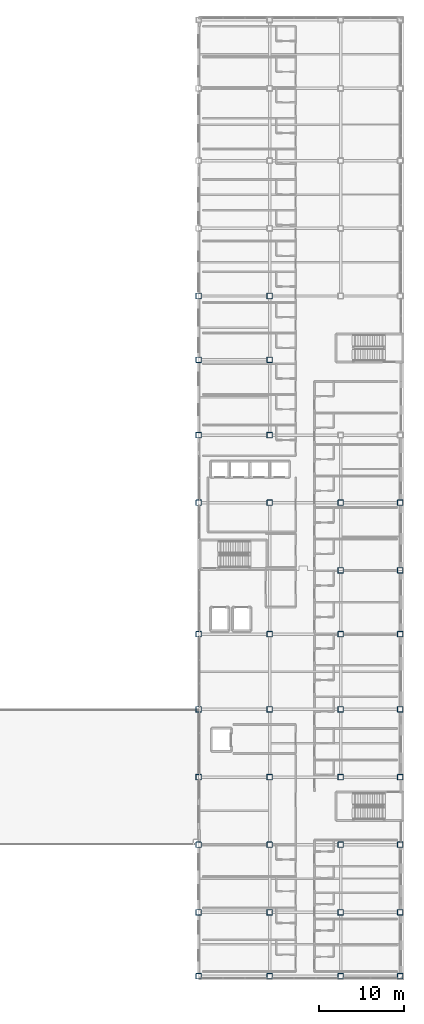
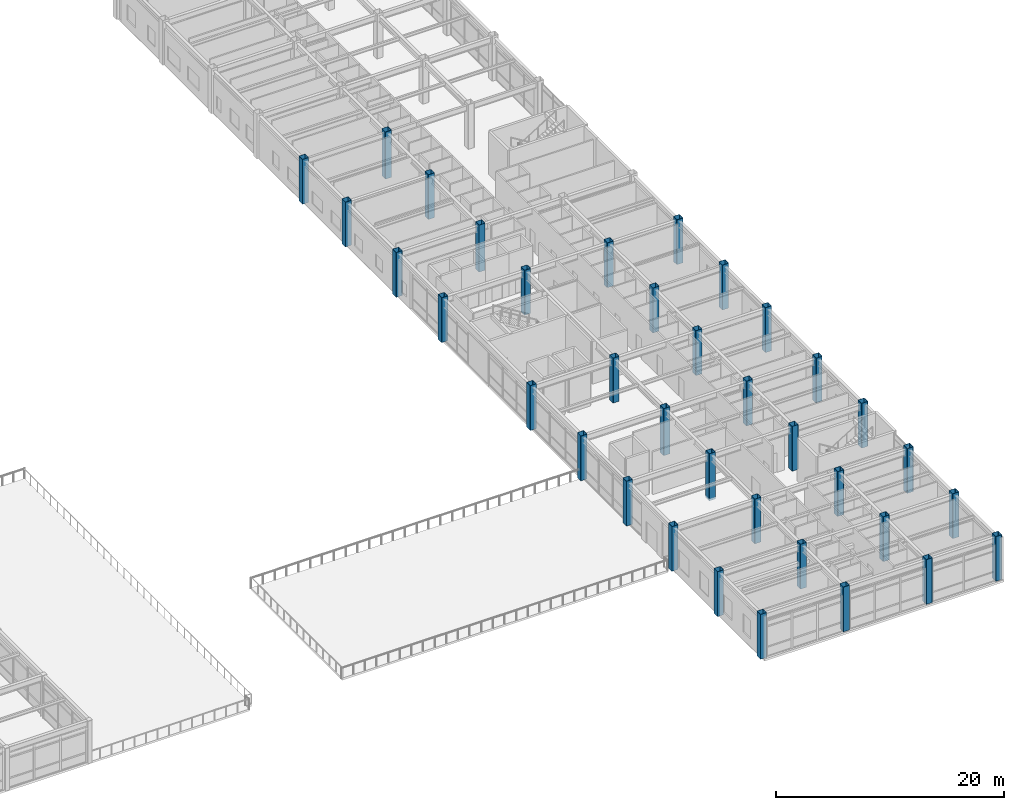
# One storey, part 2 of 61: 36 columns.
"""IFC4 building model written with IfcOpenShell, lengths in metres."""

from ifc_helpers import new_model, si_unit, direction, frame, origin, origin_2d, place, context, subcontext, project, spatial, hollow_rectangle, extrude, material, material_profile, profile_set, type_object, element, save


model = new_model("IFC4")

# Units and contexts
model_context = context("Model", 3, precision=1e-05, world=origin(), true_north=direction((0.0, 1.0)))
body_context = subcontext(model_context, "Body", "Model", "MODEL_VIEW")
ifc_project = project(units=[si_unit("LENGTHUNIT", "METRE"), si_unit("AREAUNIT", "SQUARE_METRE"), si_unit("VOLUMEUNIT", "CUBIC_METRE"), si_unit("PLANEANGLEUNIT", "RADIAN"), si_unit("MASSUNIT", "GRAM", prefix="KILO")], contexts=[model_context])

# Site, building, storey
site_placement = place(None, origin())
site = spatial("IfcSite", under=ifc_project, at=site_placement, CompositionType="ELEMENT")
building_placement = place(site_placement, origin())
building = spatial("IfcBuilding", under=site, at=building_placement, Name="Kazehara Bluff Congress Hotel", CompositionType="ELEMENT")
storey_placement = place(building_placement, frame((0.0, 0.0, 19.800048828125)))
storey = spatial("IfcBuildingStorey", under=building, at=storey_placement, Name="L04", CompositionType="ELEMENT", Elevation=19.800048828125)

# Columns
ifc_material = material(Name="Steel BCR295", Category="steel")
ifc_material_profile = material_profile(ifc_material, hollow_rectangle(XDim=0.64990234375, YDim=0.64990234375, WallThickness=0.02490234375, InnerFilletRadius=0.02490234375, OuterFilletRadius=0.050048828125, at=origin_2d()))
ifc_profile_set = profile_set([ifc_material_profile], Name="Steel BCR295")
column_type = type_object("IfcColumnType", Name="TP-C-04", PredefinedType="COLUMN", material=ifc_profile_set)
for number, where, z_axis, x_axis, name in (
    (1, (143.699951171875, 0.449951171875, 0.0), (0.0, 0.0, 1.0), (1.0, 0.0, 0.0), "L04 column C-04 (143.70,0.45)"),
    (2, (143.699951171875, 8.0, 0.0), (0.0, 0.0, 1.0), (1.0, 0.0, 0.0), "L04 column C-04 (143.70,8.00)"),
    (3, (143.699951171875, 16.0, 0.0), (0.0, 0.0, 1.0), (1.0, 0.0, 0.0), "L04 column C-04 (143.70,16.00)"),
    (4, (143.699951171875, 24.0, 0.0), (0.0, 0.0, 1.0), (1.0, 0.0, 0.0), "L04 column C-04 (143.70,24.00)"),
    (5, (143.699951171875, 32.0, 0.0), (0.0, 0.0, 1.0), (1.0, 0.0, 0.0), "L04 column C-04 (143.70,32.00)"),
    (6, (143.699951171875, 40.89990234375, 0.0), (0.0, 0.0, 1.0), (1.0, 0.0, 0.0), "L04 column C-04 (143.70,40.90)"),
    (7, (143.699951171875, 56.449951171875, 0.0), (0.0, 0.0, 1.0), (1.0, 0.0, 0.0), "L04 column C-04 (143.70,56.45)"),
    (8, (143.699951171875, 64.449951171875, 0.0), (0.0, 0.0, 1.0), (1.0, 0.0, 0.0), "L04 column C-04 (143.70,64.45)"),
    (9, (143.699951171875, 73.35009765625, 0.0), (0.0, 0.0, 1.0), (1.0, 0.0, 0.0), "L04 column C-04 (143.70,73.35)"),
    (10, (143.699951171875, 80.89990234375, 0.0), (0.0, 0.0, 1.0), (1.0, 0.0, 0.0), "L04 column C-04 (143.70,80.90)"),
    (11, (152.10009765625, 0.449951171875, 0.0), (0.0, 0.0, 1.0), (1.0, 0.0, 0.0), "L04 column C-04 (152.10,0.45)"),
    (12, (152.10009765625, 8.0, 0.0), (0.0, 0.0, 1.0), (1.0, 0.0, 0.0), "L04 column C-04 (152.10,8.00)"),
    (13, (152.10009765625, 16.0, 0.0), (0.0, 0.0, 1.0), (1.0, 0.0, 0.0), "L04 column C-04 (152.10,16.00)"),
):
    element("IfcColumn", number, at=place(storey_placement, frame(where, z_axis=z_axis, x_axis=x_axis)), inside=storey, type_object=column_type, Name=name, PredefinedType="COLUMN", context=body_context, shape_type="SweptSolid", body=[
        extrude(hollow_rectangle(XDim=0.64990234375, YDim=0.64990234375, WallThickness=0.02490234375, InnerFilletRadius=0.02490234375, OuterFilletRadius=0.050048828125, at=origin_2d()), origin(), (0.0, 0.0, 1.0), 4.800048828125),
    ])
for number, where, z_axis, x_axis, name in (
    (14, (152.10009765625, 24.0, -0.239990234375), (0.0, 0.0, 1.0), (1.0, 0.0, 0.0), "L04 column C-04 (152.10,24.00)"),
    (15, (152.10009765625, 32.0, -0.239990234375), (0.0, 0.0, 1.0), (1.0, 0.0, 0.0), "L04 column C-04 (152.10,32.00)"),
):
    element("IfcColumn", number, at=place(storey_placement, frame(where, z_axis=z_axis, x_axis=x_axis)), inside=storey, type_object=column_type, Name=name, PredefinedType="COLUMN", context=body_context, shape_type="SweptSolid", body=[
        extrude(hollow_rectangle(XDim=0.64990234375, YDim=0.64990234375, WallThickness=0.02490234375, InnerFilletRadius=0.02490234375, OuterFilletRadius=0.050048828125, at=origin_2d()), origin(), (0.0, 0.0, 1.0), 5.0400390625),
    ])
for number, where, z_axis, x_axis, name in (
    (16, (152.10009765625, 40.89990234375, 0.0), (0.0, 0.0, 1.0), (1.0, 0.0, 0.0), "L04 column C-04 (152.10,40.90)"),
    (17, (152.10009765625, 56.449951171875, 0.0), (0.0, 0.0, 1.0), (1.0, 0.0, 0.0), "L04 column C-04 (152.10,56.45)"),
):
    element("IfcColumn", number, at=place(storey_placement, frame(where, z_axis=z_axis, x_axis=x_axis)), inside=storey, type_object=column_type, Name=name, PredefinedType="COLUMN", context=body_context, shape_type="SweptSolid", body=[
        extrude(hollow_rectangle(XDim=0.64990234375, YDim=0.64990234375, WallThickness=0.02490234375, InnerFilletRadius=0.02490234375, OuterFilletRadius=0.050048828125, at=origin_2d()), origin(), (0.0, 0.0, 1.0), 4.800048828125),
    ])
column_1_placement = place(storey_placement, frame((152.10009765625, 64.449951171875, -0.239990234375), z_axis=(0.0, 0.0, 1.0), x_axis=(1.0, 0.0, 0.0)))
element("IfcColumn", 18, at=column_1_placement, inside=storey, type_object=column_type, Name="L04 column C-04 (152.10,64.45)", PredefinedType="COLUMN", context=body_context, shape_type="SweptSolid", body=[
    extrude(hollow_rectangle(XDim=0.64990234375, YDim=0.64990234375, WallThickness=0.02490234375, InnerFilletRadius=0.02490234375, OuterFilletRadius=0.050048828125, at=origin_2d()), origin(), (0.0, 0.0, 1.0), 5.0400390625),
])
column_2_placement = place(storey_placement, frame((152.10009765625, 73.35009765625, 0.0), z_axis=(0.0, 0.0, 1.0), x_axis=(1.0, 0.0, 0.0)))
element("IfcColumn", 19, at=column_2_placement, inside=storey, type_object=column_type, Name="L04 column C-04 (152.10,73.35)", PredefinedType="COLUMN", context=body_context, shape_type="SweptSolid", body=[
    extrude(hollow_rectangle(XDim=0.64990234375, YDim=0.64990234375, WallThickness=0.02490234375, InnerFilletRadius=0.02490234375, OuterFilletRadius=0.050048828125, at=origin_2d()), origin(), (0.0, 0.0, 1.0), 4.800048828125),
])
column_3_placement = place(storey_placement, frame((152.10009765625, 80.89990234375, -0.239990234375), z_axis=(0.0, 0.0, 1.0), x_axis=(1.0, 0.0, 0.0)))
element("IfcColumn", 20, at=column_3_placement, inside=storey, type_object=column_type, Name="L04 column C-04 (152.10,80.90)", PredefinedType="COLUMN", context=body_context, shape_type="SweptSolid", body=[
    extrude(hollow_rectangle(XDim=0.64990234375, YDim=0.64990234375, WallThickness=0.02490234375, InnerFilletRadius=0.02490234375, OuterFilletRadius=0.050048828125, at=origin_2d()), origin(), (0.0, 0.0, 1.0), 5.0400390625),
])
for number, where, z_axis, x_axis, name in (
    (21, (160.5, 0.449951171875, 0.0), (0.0, 0.0, 1.0), (1.0, 0.0, 0.0), "L04 column C-04 (160.50,0.45)"),
    (22, (160.5, 8.0, 0.0), (0.0, 0.0, 1.0), (1.0, 0.0, 0.0), "L04 column C-04 (160.50,8.00)"),
    (23, (160.5, 16.0, 0.0), (0.0, 0.0, 1.0), (1.0, 0.0, 0.0), "L04 column C-04 (160.50,16.00)"),
    (24, (160.5, 24.0, 0.0), (0.0, 0.0, 1.0), (1.0, 0.0, 0.0), "L04 column C-04 (160.50,24.00)"),
    (25, (160.5, 32.0, 0.0), (0.0, 0.0, 1.0), (1.0, 0.0, 0.0), "L04 column C-04 (160.50,32.00)"),
    (26, (160.5, 40.89990234375, 0.0), (0.0, 0.0, 1.0), (1.0, 0.0, 0.0), "L04 column C-04 (160.50,40.90)"),
    (27, (160.5, 48.449951171875, 0.0), (0.0, 0.0, 1.0), (1.0, 0.0, 0.0), "L04 column C-04 (160.50,48.45)"),
    (28, (160.5, 56.449951171875, 0.0), (0.0, 0.0, 1.0), (1.0, 0.0, 0.0), "L04 column C-04 (160.50,56.45)"),
    (29, (167.550048828125, 0.449951171875, 0.0), (0.0, 0.0, 1.0), (1.0, 0.0, 0.0), "L04 column C-04 (167.55,0.45)"),
    (30, (167.550048828125, 8.0, 0.0), (0.0, 0.0, 1.0), (1.0, 0.0, 0.0), "L04 column C-04 (167.55,8.00)"),
    (31, (167.550048828125, 16.0, 0.0), (0.0, 0.0, 1.0), (1.0, 0.0, 0.0), "L04 column C-04 (167.55,16.00)"),
    (32, (167.550048828125, 24.0, 0.0), (0.0, 0.0, 1.0), (1.0, 0.0, 0.0), "L04 column C-04 (167.55,24.00)"),
    (33, (167.550048828125, 32.0, 0.0), (0.0, 0.0, 1.0), (1.0, 0.0, 0.0), "L04 column C-04 (167.55,32.00)"),
    (34, (167.550048828125, 40.89990234375, 0.0), (0.0, 0.0, 1.0), (1.0, 0.0, 0.0), "L04 column C-04 (167.55,40.90)"),
    (35, (167.550048828125, 48.449951171875, 0.0), (0.0, 0.0, 1.0), (1.0, 0.0, 0.0), "L04 column C-04 (167.55,48.45)"),
    (36, (167.550048828125, 56.449951171875, 0.0), (0.0, 0.0, 1.0), (1.0, 0.0, 0.0), "L04 column C-04 (167.55,56.45)"),
):
    element("IfcColumn", number, at=place(storey_placement, frame(where, z_axis=z_axis, x_axis=x_axis)), inside=storey, type_object=column_type, Name=name, PredefinedType="COLUMN", context=body_context, shape_type="SweptSolid", body=[
        extrude(hollow_rectangle(XDim=0.64990234375, YDim=0.64990234375, WallThickness=0.02490234375, InnerFilletRadius=0.02490234375, OuterFilletRadius=0.050048828125, at=origin_2d()), origin(), (0.0, 0.0, 1.0), 4.800048828125),
    ])

save(model, "model.ifc")
